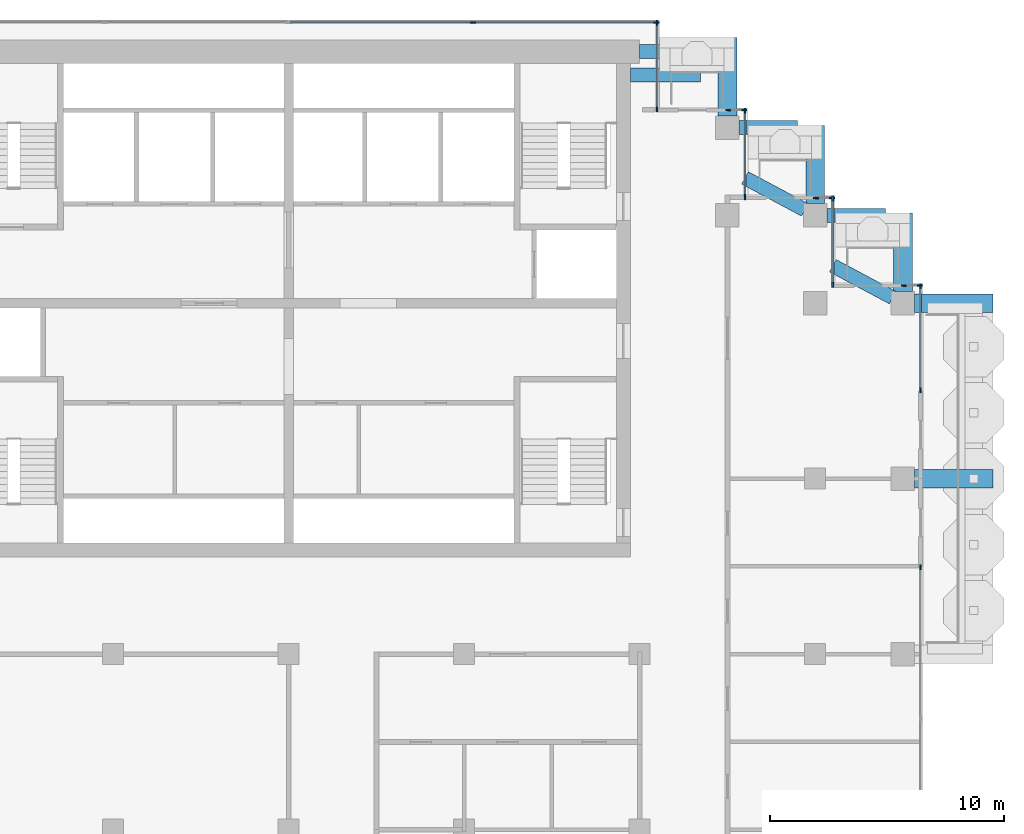
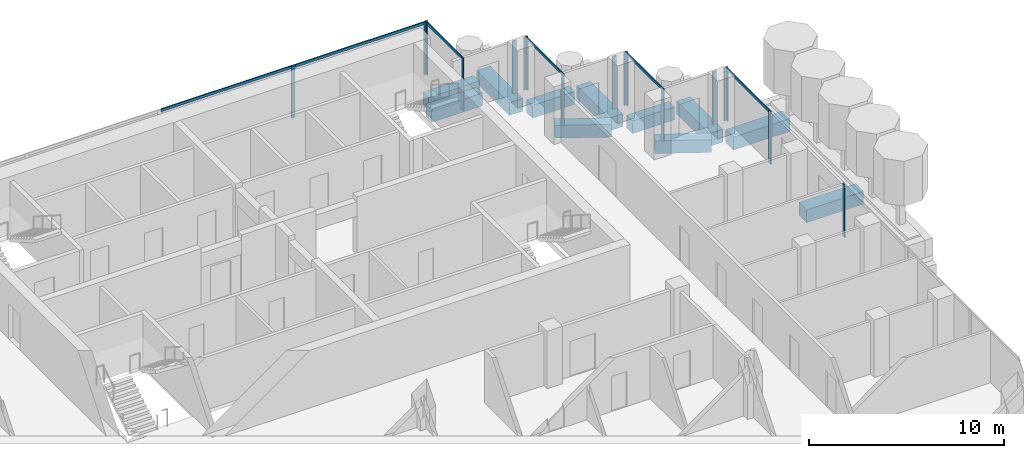
# One storey, part 6 of 19: 23 members, 11 beams, 9 elements without a shape of their own.
"""IFC4 building model written with IfcOpenShell, lengths in metres."""

import ifcopenshell
import ifcopenshell.guid

model = None  # the IFC model being written
_history = None  # IfcOwnerHistory: only IFC2X3 demands one
_inside = {}  # id of a spatial element -> (the spatial element, [elements in it])
_under = {}  # id of a project, library or spatial element -> (it, [spatial elements below it])
_declared = {}  # id of a project -> (the project, [libraries it declares])
_typed = {}  # id of a type object -> (the type object, [elements of that type])
_made_of = {}  # id of a material, layer set ... -> (it, [elements and type objects made of it])


def new_model(schema):
    """Start an empty IFC model of exactly this schema.

    Asked for "IFC4X3", IfcOpenShell would pick the latest addendum, in which some entities
    have other attributes; the version numbers below select the first issue.
    IFC2X3 requires an IfcOwnerHistory on every rooted entity: one is made here for all.
    """
    global model, _history
    if schema == "IFC4X3":
        model = ifcopenshell.file(schema_version=(4, 3, 0, 0))
    else:
        model = ifcopenshell.file(schema=schema)
    _inside.clear()
    _under.clear()
    _declared.clear()
    _typed.clear()
    _made_of.clear()
    _history = None
    if model.schema == "IFC2X3":
        org = make("IfcOrganization", Name="unknown")
        user = make(
            "IfcPersonAndOrganization",
            ThePerson=make("IfcPerson", FamilyName="unknown"),
            TheOrganization=org,
        )
        app = make(
            "IfcApplication",
            ApplicationDeveloper=org,
            Version="unknown",
            ApplicationFullName="unknown",
            ApplicationIdentifier="unknown",
        )
        _history = make(
            "IfcOwnerHistory",
            OwningUser=user,
            OwningApplication=app,
            ChangeAction="ADDED",
            CreationDate=0,
        )
    return model


def make(cls, **values):
    """One entity of the class cls with the attributes given. An attribute that is None is left unset."""
    return model.create_entity(
        cls, **{name: value for name, value in values.items() if value is not None}
    )


def rooted(cls, **values):
    """An entity with a GlobalId (a new one), such as an element, a storey or a relation."""
    return make(cls, GlobalId=ifcopenshell.guid.new(), OwnerHistory=_history, **values)


def si_unit(unit_type, name, prefix=None):
    """IfcSIUnit, for example si_unit("LENGTHUNIT", "METRE", prefix="MILLI")."""
    return make("IfcSIUnit", UnitType=unit_type, Prefix=prefix, Name=name)


def assignment(units):
    """IfcUnitAssignment: the units of a project."""
    return None if units is None else make("IfcUnitAssignment", Units=units)


def point(xyz):
    """IfcCartesianPoint."""
    return None if xyz is None else make("IfcCartesianPoint", Coordinates=xyz)


def direction(xyz):
    """IfcDirection."""
    return None if xyz is None else make("IfcDirection", DirectionRatios=xyz)


def frame(location, z_axis=None, x_axis=None):
    """IfcAxis2Placement3D, a coordinate frame: its origin and axes. An axis left out is left unset."""
    return make(
        "IfcAxis2Placement3D",
        Location=point(location),
        Axis=direction(z_axis),
        RefDirection=direction(x_axis),
    )


def frame_2d(location, x_axis=None):
    """IfcAxis2Placement2D, a coordinate frame in the plane: its origin and x axis."""
    return make(
        "IfcAxis2Placement2D", Location=point(location), RefDirection=direction(x_axis)
    )


def origin():
    """The frame at (0, 0, 0) with its axes left unset."""
    return frame((0.0, 0.0, 0.0))


def origin_2d():
    """The frame at (0, 0) in the plane with its x axis left unset."""
    return frame_2d((0.0, 0.0))


def place(relative_to, where):
    """IfcLocalPlacement: puts the frame where relative to a parent placement (None: the world)."""
    return make(
        "IfcLocalPlacement", PlacementRelTo=relative_to, RelativePlacement=where
    )


def context(
    kind, dimensions, precision=None, world=None, true_north=None, identifier=None
):
    """IfcGeometricRepresentationContext, for example the 3D "Model" context."""
    return make(
        "IfcGeometricRepresentationContext",
        ContextIdentifier=identifier,
        ContextType=kind,
        CoordinateSpaceDimension=dimensions,
        Precision=precision,
        WorldCoordinateSystem=world,
        TrueNorth=true_north,
    )


def subcontext(parent, identifier, kind, view, scale=None):
    """IfcGeometricRepresentationSubContext, for example "Body" below "Model"."""
    return make(
        "IfcGeometricRepresentationSubContext",
        ContextIdentifier=identifier,
        ContextType=kind,
        ParentContext=parent,
        TargetScale=scale,
        TargetView=view,
    )


def project(units=None, contexts=None):
    """IfcProject with its units and contexts."""
    return rooted(
        "IfcProject",
        Name="project",
        RepresentationContexts=contexts,
        UnitsInContext=assignment(units),
    )


def spatial(cls, under=None, at=None, **own):
    """A site, building, storey or space (cls), placed at a placement, below another one or the project."""
    s = rooted(cls, ObjectPlacement=at, **own)
    if under is not None:
        _under.setdefault(under.id(), (under, []))[1].append(s)
    return s


def profile(cls, at=None, kind="AREA", **sizes):
    """A parametric profile (cls). Its sizes go by their IFC names, for example OverallWidth=200.0."""
    return make(cls, ProfileType=kind, Position=at, **sizes)


def rectangle(**sizes):
    """IfcRectangleProfileDef."""
    return profile("IfcRectangleProfileDef", **sizes)


def extrude(swept, where, along, depth):
    """IfcExtrudedAreaSolid: the profile swept, set in the frame where, extruded along a direction by depth."""
    return make(
        "IfcExtrudedAreaSolid",
        SweptArea=swept,
        Position=where,
        ExtrudedDirection=direction(along),
        Depth=depth,
    )


def shape(context_of_items, identifier, shape_type, items):
    """IfcShapeRepresentation: the items that make up one representation, for example the "Body"."""
    return make(
        "IfcShapeRepresentation",
        ContextOfItems=context_of_items,
        RepresentationIdentifier=identifier,
        RepresentationType=shape_type,
        Items=items,
    )


def material(Name=None, Category=None):
    """IfcMaterial."""
    return make("IfcMaterial", Name=Name, Category=Category)


def material_profile(
    of_material, cross_section, Name=None, Category=None, Priority=None
):
    """IfcMaterialProfile: a cross section and its material."""
    return make(
        "IfcMaterialProfile",
        Name=Name,
        Material=of_material,
        Profile=cross_section,
        Priority=Priority,
        Category=Category,
    )


def profile_set(profiles, Name=None, composite=None):
    """IfcMaterialProfileSet."""
    return make(
        "IfcMaterialProfileSet",
        Name=Name,
        MaterialProfiles=profiles,
        CompositeProfile=composite,
    )


def made_of(thing, what):
    """Note that an element or type object is made of a material, layer set ...; save() writes the relation."""
    if what is not None:
        _made_of.setdefault(what.id(), (what, []))[1].append(thing)
    return thing


def type_object(cls, material=None, **own):
    """A type object (cls), such as IfcWallType, which elements share."""
    return made_of(rooted(cls, **own), material)


def element(
    cls,
    number,
    at=None,
    inside=None,
    cuts=None,
    type_object=None,
    material=None,
    context=None,
    identifier="Body",
    shape_type=None,
    held_by="IfcProductDefinitionShape",
    body=None,
    shapes=None,
    **own,
):
    """One element of the class cls, such as IfcWall. Its Tag is "e" and its number.

    at: its placement. inside: the storey or other place that contains it. cuts: it is an
    opening in that element (IfcRelVoidsElement). A single representation is given by context,
    identifier, shape_type and body (its items); several are given by shapes. held_by: the class
    of the entity that holds the representations. save() writes the other relations.
    """
    e = rooted(cls, Tag="e%d" % number, ObjectPlacement=at, **own)
    if body is not None:
        shapes = [shape(context, identifier, shape_type, body)]
    if shapes is not None:
        e.Representation = make(held_by, Representations=shapes)
    if inside is not None:
        _inside.setdefault(inside.id(), (inside, []))[1].append(e)
    if cuts is not None:
        rooted(
            "IfcRelVoidsElement", RelatingBuildingElement=cuts, RelatedOpeningElement=e
        )
    if type_object is not None:
        _typed.setdefault(type_object.id(), (type_object, []))[1].append(e)
    return made_of(e, material)


def aggregate(whole, parts):
    """IfcRelAggregates: a whole, such as a stair, and the parts it consists of."""
    return rooted("IfcRelAggregates", RelatingObject=whole, RelatedObjects=parts)


def save(model, path):
    """Write the relations noted so far, then the file.

    IfcRelAggregates (storeys below a building ...), IfcRelContainedInSpatialStructure (elements
    in a storey), IfcRelDefinesByType, IfcRelAssociatesMaterial and IfcRelDeclares: one each for
    every whole, place, type object, material and project.
    """
    for whole, parts in _under.values():
        aggregate(whole, parts)
    for where, things in _inside.values():
        rooted(
            "IfcRelContainedInSpatialStructure",
            RelatedElements=things,
            RelatingStructure=where,
        )
    for kind, things in _typed.values():
        rooted("IfcRelDefinesByType", RelatedObjects=things, RelatingType=kind)
    for what, things in _made_of.values():
        rooted("IfcRelAssociatesMaterial", RelatedObjects=things, RelatingMaterial=what)
    for by, libraries in _declared.values():
        rooted("IfcRelDeclares", RelatingContext=by, RelatedDefinitions=libraries)
    model.write(path)


model = new_model("IFC4")

# Units and contexts
model_context = context("Model", 3, precision=1e-05, world=origin(), true_north=direction((0.0, 1.0)))
body_context = subcontext(model_context, "Body", "Model", "MODEL_VIEW")
ifc_project = project(units=[si_unit("LENGTHUNIT", "METRE"), si_unit("AREAUNIT", "SQUARE_METRE"), si_unit("VOLUMEUNIT", "CUBIC_METRE"), si_unit("PLANEANGLEUNIT", "RADIAN"), si_unit("MASSUNIT", "GRAM", prefix="KILO")], contexts=[model_context])

# Site, building, storey
site_placement = place(None, origin())
site = spatial("IfcSite", under=ifc_project, at=site_placement, CompositionType="ELEMENT")
building_placement = place(site_placement, origin())
building = spatial("IfcBuilding", under=site, at=building_placement, Name="Pilkhan Gate Tower", CompositionType="ELEMENT")
storey_placement = place(building_placement, frame((0.0, 0.0, 217.5)))
storey = spatial("IfcBuildingStorey", under=building, at=storey_placement, Name="L56", CompositionType="ELEMENT", Elevation=217.5)

# Beams
ifc_material_1 = material(Name="Concrete C50/60", Category="concrete")
ifc_material_profile_1 = material_profile(ifc_material_1, rectangle(XDim=0.60009765625, YDim=0.800048828125, at=origin_2d()), Name="RC 600x800")
ifc_profile_set_1 = profile_set([ifc_material_profile_1], Name="Concrete C50/60")
beam_type_1 = type_object("IfcBeamType", Name="Cantilever beam CB1 RC 600x800 C50/60", PredefinedType="BEAM", material=ifc_profile_set_1)
for number, where, z_axis, x_axis, name in (
    (1, (90.0, 93.25, -0.699951171875), (1.0, 0.0, 0.0), (0.0, 1.0, 0.0), "Balcony beam NE.2 L56"),
    (2, (89.60009765625, 92.25, -0.699951171875), (1.0, 0.0, 0.0), (0.0, 1.0, 0.0), "Balcony beam NE.3 L56"),
):
    element("IfcBeam", number, at=place(storey_placement, frame(where, z_axis=z_axis, x_axis=x_axis)), inside=storey, type_object=beam_type_1, Name=name, PredefinedType="BEAM", context=body_context, shape_type="SweptSolid", body=[
        extrude(rectangle(XDim=0.60009765625, YDim=0.800048828125, at=origin_2d()), origin(), (0.0, 0.0, 1.0), 3.0),
    ])
beam_1_placement = place(storey_placement, frame((94.25, 90.0, -0.699951171875), z_axis=(1.0, 0.0, 0.0), x_axis=(0.0, 1.0, 0.0)))
element("IfcBeam", 3, at=beam_1_placement, inside=storey, type_object=beam_type_1, Name="Balcony beam NE1.2 L56", PredefinedType="BEAM", context=body_context, shape_type="SweptSolid", body=[
    extrude(rectangle(XDim=0.60009765625, YDim=0.800048828125, at=origin_2d()), origin(), (0.0, 0.0, 1.0), 2.5),
])
beam_2_placement = place(storey_placement, frame((97.058837890625, 86.4853515625, -0.699951171875), z_axis=(-0.882348280344, 0.470596974251, 0.0), x_axis=(-0.470596974251, -0.882348280344, 0.0)))
element("IfcBeam", 4, at=beam_2_placement, inside=storey, type_object=beam_type_1, Name="Balcony beam NE1.3 L56", PredefinedType="BEAM", context=body_context, shape_type="SweptSolid", body=[
    extrude(rectangle(XDim=0.60009765625, YDim=0.800048828125, at=origin_2d()), origin(), (0.0, 0.0, 1.0), 2.900146484375),
])
beam_3_placement = place(storey_placement, frame((98.0, 86.25, -0.699951171875), z_axis=(1.0, 0.0, 0.0), x_axis=(0.0, 1.0, 0.0)))
element("IfcBeam", 5, at=beam_3_placement, inside=storey, type_object=beam_type_1, Name="Balcony beam NE2.2 L56", PredefinedType="BEAM", context=body_context, shape_type="SweptSolid", body=[
    extrude(rectangle(XDim=0.60009765625, YDim=0.800048828125, at=origin_2d()), origin(), (0.0, 0.0, 1.0), 2.5),
])
beam_4_placement = place(storey_placement, frame((100.808837890625, 82.7353515625, -0.699951171875), z_axis=(-0.882348280344, 0.470596974251, 0.0), x_axis=(-0.470596974251, -0.882348280344, 0.0)))
element("IfcBeam", 6, at=beam_4_placement, inside=storey, type_object=beam_type_1, Name="Balcony beam NE2.3 L56", PredefinedType="BEAM", context=body_context, shape_type="SweptSolid", body=[
    extrude(rectangle(XDim=0.60009765625, YDim=0.800048828125, at=origin_2d()), origin(), (0.0, 0.0, 1.0), 2.900146484375),
])
ifc_material_profile_2 = material_profile(ifc_material_1, rectangle(XDim=0.800048828125, YDim=0.800048828125, at=origin_2d()), Name="RC 800x800")
ifc_profile_set_2 = profile_set([ifc_material_profile_2], Name="Concrete C50/60")
beam_type_2 = type_object("IfcBeamType", Name="Cantilever beam CB2 RC 800x800 C50/60", PredefinedType="BEAM", material=ifc_profile_set_2)
for number, where, z_axis, x_axis, name in (
    (7, (101.75, 75.0, -0.699951171875), (1.0, 0.0, 0.0), (0.0, 1.0, 0.0), "Balcony beam E.2 L56"),
    (8, (101.75, 82.5, -0.699951171875), (1.0, 0.0, 0.0), (0.0, 1.0, 0.0), "Balcony beam E.3 L56"),
    (9, (93.75, 90.5, -0.699951171875), (0.0, 1.0, 0.0), (-1.0, 0.0, 0.0), "Balcony beam NE.1 L56"),
    (10, (97.5, 86.75, -0.699951171875), (0.0, 1.0, 0.0), (-1.0, 0.0, 0.0), "Balcony beam NE1.1 L56"),
    (11, (101.25, 83.0, -0.699951171875), (0.0, 1.0, 0.0), (-1.0, 0.0, 0.0), "Balcony beam NE2.1 L56"),
):
    element("IfcBeam", number, at=place(storey_placement, frame(where, z_axis=z_axis, x_axis=x_axis)), inside=storey, type_object=beam_type_2, Name=name, PredefinedType="BEAM", context=body_context, shape_type="SweptSolid", body=[
        extrude(rectangle(XDim=0.800048828125, YDim=0.800048828125, at=origin_2d()), origin(), (0.0, 0.0, 1.0), 3.35009765625),
    ])

# Curtain wall, member
ifc_material_2 = material(Name="Pale anodised aluminium, clear low-iron double glazing", Category="aluminium")
curtain_wall_type = type_object("IfcCurtainWallType", Name="Office unitised curtain wall CW-O2", PredefinedType="USERDEFINED", material=ifc_material_2)
curtain_wall_1_placement = place(storey_placement, origin())
curtain_wall_1 = element("IfcCurtainWall", 12, at=curtain_wall_1_placement, inside=storey, type_object=curtain_wall_type, Name="Office unitised curtain wall CW-O2 L56 E", ObjectType="UNITISED CURTAIN WALL", PredefinedType="USERDEFINED")
ifc_material_3 = material(Name="Pale anodised aluminium", Category="aluminium")
ifc_material_profile_3 = material_profile(ifc_material_3, rectangle(XDim=0.06494140625, YDim=0.22509765625, at=origin_2d()), Name="Mullion 225x65")
ifc_profile_set_3 = profile_set([ifc_material_profile_3], Name="Pale anodised aluminium")
member_type_1 = type_object("IfcMemberType", Name="Mullion CW-O2 225x65", PredefinedType="MULLION", material=ifc_profile_set_3)
member_1_placement = place(storey_placement, frame((102.0, 71.217529296875, 0.0), z_axis=(0.0, 0.0, 1.0), x_axis=(-1.0, 0.0, 0.0)))
member_1 = element("IfcMember", 13, at=member_1_placement, type_object=member_type_1, Name="CW-O2 mullion 2", PredefinedType="MULLION", context=body_context, shape_type="SweptSolid", body=[
    extrude(rectangle(XDim=0.06494140625, YDim=0.22509765625, at=origin_2d()), origin(), (0.0, 0.0, 1.0), 3.300048828125),
])
aggregate(curtain_wall_1, [member_1])

# Curtain wall, members
curtain_wall_2_placement = place(storey_placement, origin())
curtain_wall_2 = element("IfcCurtainWall", 14, at=curtain_wall_2_placement, inside=storey, type_object=curtain_wall_type, Name="Office unitised curtain wall CW-O2 L56 E", ObjectType="UNITISED CURTAIN WALL", PredefinedType="USERDEFINED")
member_2_placement = place(storey_placement, frame((102.0, 78.782470703125, 0.0), z_axis=(0.0, 0.0, 1.0), x_axis=(-1.0, 0.0, 0.0)))
member_2 = element("IfcMember", 15, at=member_2_placement, type_object=member_type_1, Name="CW-O2 mullion 1", PredefinedType="MULLION", context=body_context, shape_type="SweptSolid", body=[
    extrude(rectangle(XDim=0.06494140625, YDim=0.22509765625, at=origin_2d()), origin(), (0.0, 0.0, 1.0), 3.300048828125),
])
member_3_placement = place(storey_placement, frame((102.0, 83.217529296875, 0.0), z_axis=(0.0, 0.0, 1.0), x_axis=(-1.0, 0.0, 0.0)))
member_3 = element("IfcMember", 16, at=member_3_placement, type_object=member_type_1, Name="CW-O2 mullion 2", PredefinedType="MULLION", context=body_context, shape_type="SweptSolid", body=[
    extrude(rectangle(XDim=0.06494140625, YDim=0.22509765625, at=origin_2d()), origin(), (0.0, 0.0, 1.0), 3.300048828125),
])

curtain_wall_3_placement = place(storey_placement, origin())
curtain_wall_3 = element("IfcCurtainWall", 17, at=curtain_wall_3_placement, inside=storey, type_object=curtain_wall_type, Name="Office unitised curtain wall CW-O2 L56 N", ObjectType="UNITISED CURTAIN WALL", PredefinedType="USERDEFINED")
member_4_placement = place(storey_placement, frame((101.282470703125, 83.25, 0.0), z_axis=(0.0, 0.0, 1.0), x_axis=(0.0, 1.0, 0.0)))
member_4 = element("IfcMember", 18, at=member_4_placement, type_object=member_type_1, Name="CW-O2 mullion 1", PredefinedType="MULLION", context=body_context, shape_type="SweptSolid", body=[
    extrude(rectangle(XDim=0.06494140625, YDim=0.22509765625, at=origin_2d()), origin(), (0.0, 0.0, 1.0), 3.300048828125),
])
member_5_placement = place(storey_placement, frame((101.967529296875, 83.25, 0.0), z_axis=(0.0, 0.0, 1.0), x_axis=(0.0, 1.0, 0.0)))
member_5 = element("IfcMember", 19, at=member_5_placement, type_object=member_type_1, Name="CW-O2 mullion 2", PredefinedType="MULLION", context=body_context, shape_type="SweptSolid", body=[
    extrude(rectangle(XDim=0.06494140625, YDim=0.22509765625, at=origin_2d()), origin(), (0.0, 0.0, 1.0), 3.300048828125),
])
aggregate(curtain_wall_3, [member_4, member_5])

curtain_wall_4_placement = place(storey_placement, origin())
curtain_wall_4 = element("IfcCurtainWall", 20, at=curtain_wall_4_placement, inside=storey, type_object=curtain_wall_type, Name="Office unitised curtain wall CW-O2 L56 E", ObjectType="UNITISED CURTAIN WALL", PredefinedType="USERDEFINED")
member_6_placement = place(storey_placement, frame((98.25, 83.282470703125, 0.0), z_axis=(0.0, 0.0, 1.0), x_axis=(-1.0, 0.0, 0.0)))
member_6 = element("IfcMember", 21, at=member_6_placement, type_object=member_type_1, Name="CW-O2 mullion 1", PredefinedType="MULLION", context=body_context, shape_type="SweptSolid", body=[
    extrude(rectangle(XDim=0.06494140625, YDim=0.22509765625, at=origin_2d()), origin(), (0.0, 0.0, 1.0), 3.300048828125),
])
member_7_placement = place(storey_placement, frame((98.25, 86.967529296875, 0.0), z_axis=(0.0, 0.0, 1.0), x_axis=(-1.0, 0.0, 0.0)))
member_7 = element("IfcMember", 22, at=member_7_placement, type_object=member_type_1, Name="CW-O2 mullion 2", PredefinedType="MULLION", context=body_context, shape_type="SweptSolid", body=[
    extrude(rectangle(XDim=0.06494140625, YDim=0.22509765625, at=origin_2d()), origin(), (0.0, 0.0, 1.0), 3.300048828125),
])

curtain_wall_5_placement = place(storey_placement, origin())
curtain_wall_5 = element("IfcCurtainWall", 23, at=curtain_wall_5_placement, inside=storey, type_object=curtain_wall_type, Name="Office unitised curtain wall CW-O2 L56 N", ObjectType="UNITISED CURTAIN WALL", PredefinedType="USERDEFINED")
member_8_placement = place(storey_placement, frame((97.532470703125, 87.0, 0.0), z_axis=(0.0, 0.0, 1.0), x_axis=(0.0, 1.0, 0.0)))
member_8 = element("IfcMember", 24, at=member_8_placement, type_object=member_type_1, Name="CW-O2 mullion 1", PredefinedType="MULLION", context=body_context, shape_type="SweptSolid", body=[
    extrude(rectangle(XDim=0.06494140625, YDim=0.22509765625, at=origin_2d()), origin(), (0.0, 0.0, 1.0), 3.300048828125),
])
member_9_placement = place(storey_placement, frame((98.217529296875, 87.0, 0.0), z_axis=(0.0, 0.0, 1.0), x_axis=(0.0, 1.0, 0.0)))
member_9 = element("IfcMember", 25, at=member_9_placement, type_object=member_type_1, Name="CW-O2 mullion 2", PredefinedType="MULLION", context=body_context, shape_type="SweptSolid", body=[
    extrude(rectangle(XDim=0.06494140625, YDim=0.22509765625, at=origin_2d()), origin(), (0.0, 0.0, 1.0), 3.300048828125),
])
aggregate(curtain_wall_5, [member_8, member_9])

curtain_wall_6_placement = place(storey_placement, origin())
curtain_wall_6 = element("IfcCurtainWall", 26, at=curtain_wall_6_placement, inside=storey, type_object=curtain_wall_type, Name="Office unitised curtain wall CW-O2 L56 E", ObjectType="UNITISED CURTAIN WALL", PredefinedType="USERDEFINED")
member_10_placement = place(storey_placement, frame((94.5, 87.032470703125, 0.0), z_axis=(0.0, 0.0, 1.0), x_axis=(-1.0, 0.0, 0.0)))
member_10 = element("IfcMember", 27, at=member_10_placement, type_object=member_type_1, Name="CW-O2 mullion 1", PredefinedType="MULLION", context=body_context, shape_type="SweptSolid", body=[
    extrude(rectangle(XDim=0.06494140625, YDim=0.22509765625, at=origin_2d()), origin(), (0.0, 0.0, 1.0), 3.300048828125),
])
member_11_placement = place(storey_placement, frame((94.5, 90.717529296875, 0.0), z_axis=(0.0, 0.0, 1.0), x_axis=(-1.0, 0.0, 0.0)))
member_11 = element("IfcMember", 28, at=member_11_placement, type_object=member_type_1, Name="CW-O2 mullion 2", PredefinedType="MULLION", context=body_context, shape_type="SweptSolid", body=[
    extrude(rectangle(XDim=0.06494140625, YDim=0.22509765625, at=origin_2d()), origin(), (0.0, 0.0, 1.0), 3.300048828125),
])

curtain_wall_7_placement = place(storey_placement, origin())
curtain_wall_7 = element("IfcCurtainWall", 29, at=curtain_wall_7_placement, inside=storey, type_object=curtain_wall_type, Name="Office unitised curtain wall CW-O2 L56 N", ObjectType="UNITISED CURTAIN WALL", PredefinedType="USERDEFINED")
member_12_placement = place(storey_placement, frame((93.782470703125, 90.75, 0.0), z_axis=(0.0, 0.0, 1.0), x_axis=(0.0, 1.0, 0.0)))
member_12 = element("IfcMember", 30, at=member_12_placement, type_object=member_type_1, Name="CW-O2 mullion 1", PredefinedType="MULLION", context=body_context, shape_type="SweptSolid", body=[
    extrude(rectangle(XDim=0.06494140625, YDim=0.22509765625, at=origin_2d()), origin(), (0.0, 0.0, 1.0), 3.300048828125),
])
member_13_placement = place(storey_placement, frame((94.467529296875, 90.75, 0.0), z_axis=(0.0, 0.0, 1.0), x_axis=(0.0, 1.0, 0.0)))
member_13 = element("IfcMember", 31, at=member_13_placement, type_object=member_type_1, Name="CW-O2 mullion 2", PredefinedType="MULLION", context=body_context, shape_type="SweptSolid", body=[
    extrude(rectangle(XDim=0.06494140625, YDim=0.22509765625, at=origin_2d()), origin(), (0.0, 0.0, 1.0), 3.300048828125),
])
aggregate(curtain_wall_7, [member_12, member_13])

curtain_wall_8_placement = place(storey_placement, origin())
curtain_wall_8 = element("IfcCurtainWall", 32, at=curtain_wall_8_placement, inside=storey, type_object=curtain_wall_type, Name="Office unitised curtain wall CW-O2 L56 E", ObjectType="UNITISED CURTAIN WALL", PredefinedType="USERDEFINED")
member_14_placement = place(storey_placement, frame((90.75, 90.782470703125, 0.0), z_axis=(0.0, 0.0, 1.0), x_axis=(-1.0, 0.0, 0.0)))
member_14 = element("IfcMember", 33, at=member_14_placement, type_object=member_type_1, Name="CW-O2 mullion 1", PredefinedType="MULLION", context=body_context, shape_type="SweptSolid", body=[
    extrude(rectangle(XDim=0.06494140625, YDim=0.22509765625, at=origin_2d()), origin(), (0.0, 0.0, 1.0), 3.300048828125),
])
member_15_placement = place(storey_placement, frame((90.75, 94.467529296875, 0.0), z_axis=(0.0, 0.0, 1.0), x_axis=(-1.0, 0.0, 0.0)))
member_15 = element("IfcMember", 34, at=member_15_placement, type_object=member_type_1, Name="CW-O2 mullion 2", PredefinedType="MULLION", context=body_context, shape_type="SweptSolid", body=[
    extrude(rectangle(XDim=0.06494140625, YDim=0.22509765625, at=origin_2d()), origin(), (0.0, 0.0, 1.0), 3.300048828125),
])

curtain_wall_9_placement = place(storey_placement, origin())
curtain_wall_9 = element("IfcCurtainWall", 35, at=curtain_wall_9_placement, inside=storey, type_object=curtain_wall_type, Name="Office unitised curtain wall CW-O2 L56 N", ObjectType="UNITISED CURTAIN WALL", PredefinedType="USERDEFINED")
member_16_placement = place(storey_placement, frame((82.875, 94.5, 0.0), z_axis=(0.0, 0.0, 1.0), x_axis=(0.0, 1.0, 0.0)))
member_16 = element("IfcMember", 36, at=member_16_placement, type_object=member_type_1, Name="CW-O2 mullion 2", PredefinedType="MULLION", context=body_context, shape_type="SweptSolid", body=[
    extrude(rectangle(XDim=0.06494140625, YDim=0.22509765625, at=origin_2d()), origin(), (0.0, 0.0, 1.0), 3.300048828125),
])
member_17_placement = place(storey_placement, frame((90.717529296875, 94.5, 0.0), z_axis=(0.0, 0.0, 1.0), x_axis=(0.0, 1.0, 0.0)))
member_17 = element("IfcMember", 37, at=member_17_placement, type_object=member_type_1, Name="CW-O2 mullion 3", PredefinedType="MULLION", context=body_context, shape_type="SweptSolid", body=[
    extrude(rectangle(XDim=0.06494140625, YDim=0.22509765625, at=origin_2d()), origin(), (0.0, 0.0, 1.0), 3.300048828125),
])

# Member
ifc_material_profile_4 = material_profile(ifc_material_3, rectangle(XDim=0.06494140625, YDim=0.1650390625, at=origin_2d()), Name="Transom 165x65")
ifc_profile_set_4 = profile_set([ifc_material_profile_4], Name="Pale anodised aluminium")
member_type_2 = type_object("IfcMemberType", Name="Transom CW-O2 165x65", PredefinedType="USERDEFINED", material=ifc_profile_set_4)
member_18_placement = place(storey_placement, frame((102.0, 78.81494140625, 3.217529296875), z_axis=(0.0, 1.0, 0.0), x_axis=(-1.0, 0.0, 0.0)))
member_18 = element("IfcMember", 38, at=member_18_placement, type_object=member_type_2, Name="CW-O2 transom 1", ObjectType="TRANSOM", PredefinedType="USERDEFINED", context=body_context, shape_type="SweptSolid", body=[
    extrude(rectangle(XDim=0.06494140625, YDim=0.1650390625, at=origin_2d()), origin(), (0.0, 0.0, 1.0), 4.3701171875),
])

aggregate(curtain_wall_2, [member_2, member_3, member_18])

member_19_placement = place(storey_placement, frame((98.25, 83.31494140625, 3.217529296875), z_axis=(0.0, 1.0, 0.0), x_axis=(-1.0, 0.0, 0.0)))
member_19 = element("IfcMember", 39, at=member_19_placement, type_object=member_type_2, Name="CW-O2 transom 1", ObjectType="TRANSOM", PredefinedType="USERDEFINED", context=body_context, shape_type="SweptSolid", body=[
    extrude(rectangle(XDim=0.06494140625, YDim=0.1650390625, at=origin_2d()), origin(), (0.0, 0.0, 1.0), 3.6201171875),
])

aggregate(curtain_wall_4, [member_6, member_7, member_19])

member_20_placement = place(storey_placement, frame((94.5, 87.06494140625, 3.217529296875), z_axis=(0.0, 1.0, 0.0), x_axis=(-1.0, 0.0, 0.0)))
member_20 = element("IfcMember", 40, at=member_20_placement, type_object=member_type_2, Name="CW-O2 transom 1", ObjectType="TRANSOM", PredefinedType="USERDEFINED", context=body_context, shape_type="SweptSolid", body=[
    extrude(rectangle(XDim=0.06494140625, YDim=0.1650390625, at=origin_2d()), origin(), (0.0, 0.0, 1.0), 3.6201171875),
])

aggregate(curtain_wall_6, [member_10, member_11, member_20])

member_21_placement = place(storey_placement, frame((90.75, 90.81494140625, 3.217529296875), z_axis=(0.0, 1.0, 0.0), x_axis=(-1.0, 0.0, 0.0)))
member_21 = element("IfcMember", 41, at=member_21_placement, type_object=member_type_2, Name="CW-O2 transom 1", ObjectType="TRANSOM", PredefinedType="USERDEFINED", context=body_context, shape_type="SweptSolid", body=[
    extrude(rectangle(XDim=0.06494140625, YDim=0.1650390625, at=origin_2d()), origin(), (0.0, 0.0, 1.0), 3.6201171875),
])

aggregate(curtain_wall_8, [member_14, member_15, member_21])

member_22_placement = place(storey_placement, frame((75.06494140625, 94.5, 3.217529296875), z_axis=(1.0, 0.0, 0.0), x_axis=(0.0, 1.0, 0.0)))
member_22 = element("IfcMember", 42, at=member_22_placement, type_object=member_type_2, Name="CW-O2 transom 1", ObjectType="TRANSOM", PredefinedType="USERDEFINED", context=body_context, shape_type="SweptSolid", body=[
    extrude(rectangle(XDim=0.06494140625, YDim=0.1650390625, at=origin_2d()), origin(), (0.0, 0.0, 1.0), 7.777587890625),
])

member_23_placement = place(storey_placement, frame((82.907470703125, 94.5, 3.217529296875), z_axis=(1.0, 0.0, 0.0), x_axis=(0.0, 1.0, 0.0)))
member_23 = element("IfcMember", 43, at=member_23_placement, type_object=member_type_2, Name="CW-O2 transom 2", ObjectType="TRANSOM", PredefinedType="USERDEFINED", context=body_context, shape_type="SweptSolid", body=[
    extrude(rectangle(XDim=0.06494140625, YDim=0.1650390625, at=origin_2d()), origin(), (0.0, 0.0, 1.0), 7.777587890625),
])

aggregate(curtain_wall_9, [member_16, member_17, member_22, member_23])

save(model, "model.ifc")
